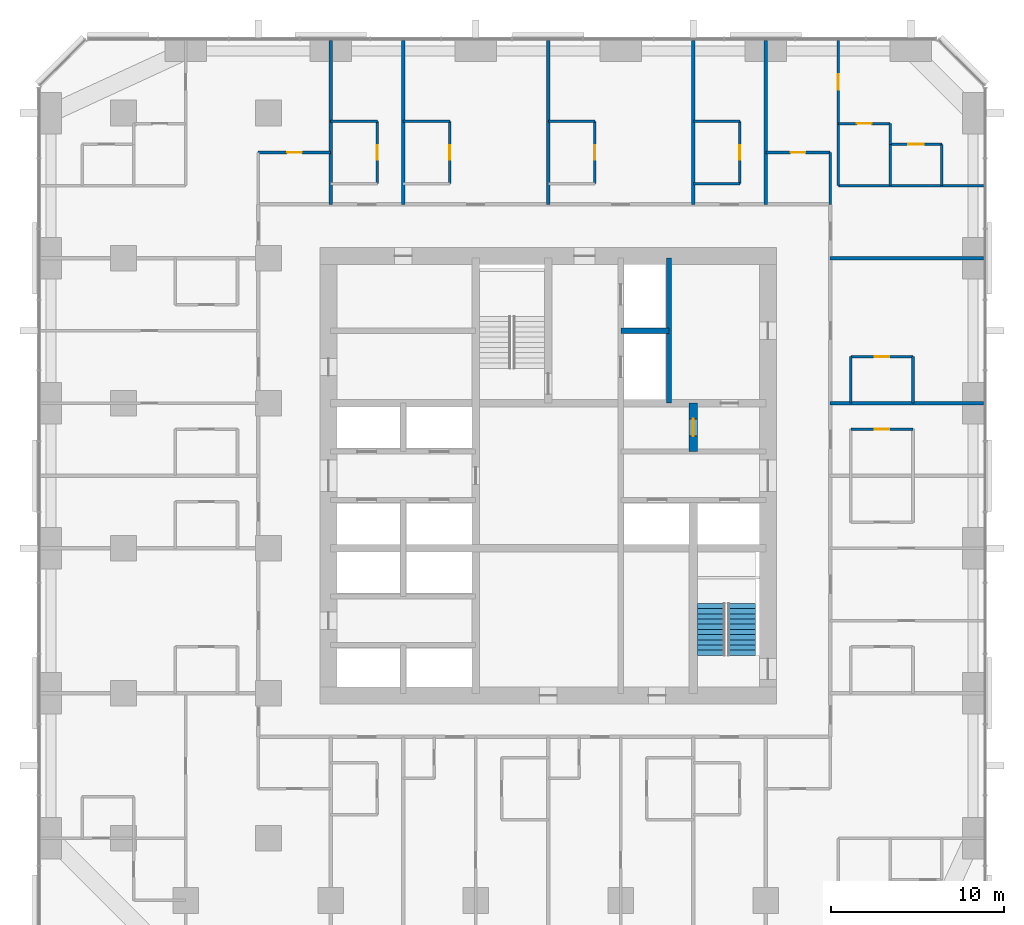
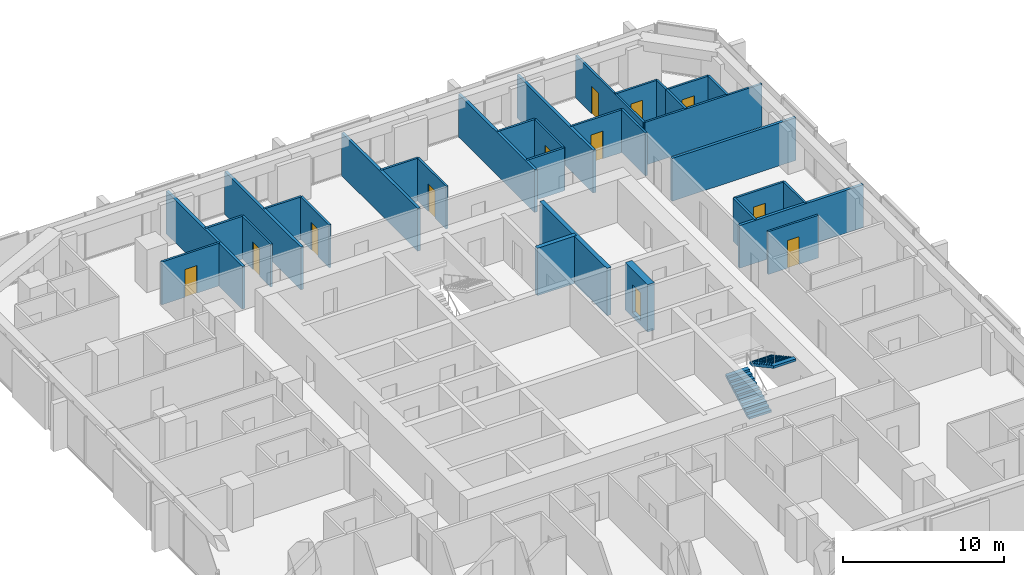
# One storey, part 12 of 14: 33 walls, 12 doors, 2 stair flights, 12 openings, 1 element without a shape of its own.
"""IFC4 building model written with IfcOpenShell, lengths in metres."""

from ifc_helpers import new_model, si_unit, direction, frame, frame_2d, origin, place, context, subcontext, project, spatial, polyline, rectangle, outline, extrude, material, layer, layer_set, type_object, element, fill, aggregate, save


model = new_model("IFC4")

# Units and contexts
model_context = context("Model", 3, precision=1e-05, world=origin(), true_north=direction((0.0, 1.0)))
body_context = subcontext(model_context, "Body", "Model", "MODEL_VIEW")
ifc_project = project(units=[si_unit("LENGTHUNIT", "METRE"), si_unit("AREAUNIT", "SQUARE_METRE"), si_unit("VOLUMEUNIT", "CUBIC_METRE"), si_unit("PLANEANGLEUNIT", "RADIAN"), si_unit("MASSUNIT", "GRAM", prefix="KILO")], contexts=[model_context])

# Site, building, storey
site_placement = place(None, origin())
site = spatial("IfcSite", under=ifc_project, at=site_placement, CompositionType="ELEMENT")
building_placement = place(site_placement, origin())
building = spatial("IfcBuilding", under=site, at=building_placement, Name="Dunama Terrace Hotel", CompositionType="ELEMENT")
storey_placement = place(building_placement, frame((0.0, 0.0, 136.800048828125)))
storey = spatial("IfcBuildingStorey", under=building, at=storey_placement, Name="L35", CompositionType="ELEMENT", Elevation=136.800048828125)

# Wall, opening, door
ifc_material_1 = material(Name="Gypsum board partition", Category="masonry")
ifc_layer_1 = layer(ifc_material_1, 0.14990234375)
ifc_layer_set_1 = layer_set([ifc_layer_1], Name="Bathroom partition 150")
wall_type_1 = type_object("IfcWallType", Name="Bathroom partition 150", PredefinedType="PARTITIONING", material=ifc_layer_set_1)
wall_1_placement = place(storey_placement, frame((19.5, 46.324951171875, 0.0), z_axis=(0.0, 0.0, 1.0), x_axis=(0.0, 1.0, 0.0)))
wall_1 = element("IfcWall", 1, at=wall_1_placement, inside=storey, type_object=wall_type_1, Name="Bathroom partition 150 L35", PredefinedType="PARTITIONING", context=body_context, shape_type="SweptSolid", body=[
    extrude(rectangle(XDim=3.60009765625, YDim=0.14990234375, at=frame_2d((1.800048828125, 0.0))), origin(), (0.0, 0.0, 1.0), 3.25),
])
opening_1_placement = place(wall_1_placement, frame((1.375, 0.0, 0.0)))
opening_1 = element("IfcOpeningElement", 2, at=opening_1_placement, cuts=wall_1, Name="Opening L34-36-033", PredefinedType="OPENING", context=body_context, shape_type="SweptSolid", body=[
    extrude(rectangle(XDim=0.85009765625, YDim=2.10009765625, at=frame_2d((0.425048828125, 1.050048828125))), frame((0.0, 0.0849609375, 0.0), z_axis=(0.0, -1.0, 0.0), x_axis=(1.0, 0.0, 0.0)), (0.0, 0.0, 1.0), 0.169921875),
])
ifc_material_2 = material(Name="Timber door with steel frame", Category="steel")
door_type_1 = type_object("IfcDoorType", Name="Bathroom door 850", OperationType="SINGLE_SWING_LEFT", PredefinedType="DOOR", material=ifc_material_2)
door_1_placement = place(opening_1_placement, origin())
door_1 = element("IfcDoor", 3, at=door_1_placement, inside=storey, type_object=door_type_1, Name="Door to en-suite bathroom L34-36-033, type D2", OperationType="SINGLE_SWING_RIGHT", OverallHeight=2.10009765625, OverallWidth=0.85009765625, PredefinedType="DOOR", context=body_context, shape_type="SweptSolid", body=[
    extrude(rectangle(XDim=0.85009765625, YDim=2.10009765625, at=frame_2d((0.425048828125, 1.050048828125))), frame((0.0, 0.02490234375, 0.0), z_axis=(0.0, -1.0, 0.0), x_axis=(1.0, 0.0, 0.0)), (0.0, 0.0, 1.0), 0.050048828125),
])
fill(opening_1, door_1)

wall_2_placement = place(storey_placement, frame((23.699951171875, 46.324951171875, 0.0), z_axis=(0.0, 0.0, 1.0), x_axis=(0.0, 1.0, 0.0)))
wall_2 = element("IfcWall", 4, at=wall_2_placement, inside=storey, type_object=wall_type_1, Name="Bathroom partition 150 L35", PredefinedType="PARTITIONING", context=body_context, shape_type="SweptSolid", body=[
    extrude(rectangle(XDim=3.60009765625, YDim=0.14990234375, at=frame_2d((1.800048828125, 0.0))), origin(), (0.0, 0.0, 1.0), 3.25),
])
opening_2_placement = place(wall_2_placement, frame((1.375, 0.0, 0.0)))
opening_2 = element("IfcOpeningElement", 5, at=opening_2_placement, cuts=wall_2, Name="Opening L34-36-035", PredefinedType="OPENING", context=body_context, shape_type="SweptSolid", body=[
    extrude(rectangle(XDim=0.85009765625, YDim=2.10009765625, at=frame_2d((0.425048828125, 1.050048828125))), frame((0.0, 0.0849609375, 0.0), z_axis=(0.0, -1.0, 0.0), x_axis=(1.0, 0.0, 0.0)), (0.0, 0.0, 1.0), 0.169921875),
])
door_2_placement = place(opening_2_placement, origin())
door_2 = element("IfcDoor", 6, at=door_2_placement, inside=storey, type_object=door_type_1, Name="Door to en-suite bathroom L34-36-035, type D2", OperationType="SINGLE_SWING_RIGHT", OverallHeight=2.10009765625, OverallWidth=0.85009765625, PredefinedType="DOOR", context=body_context, shape_type="SweptSolid", body=[
    extrude(rectangle(XDim=0.85009765625, YDim=2.10009765625, at=frame_2d((0.425048828125, 1.050048828125))), frame((0.0, 0.02490234375, 0.0), z_axis=(0.0, -1.0, 0.0), x_axis=(1.0, 0.0, 0.0)), (0.0, 0.0, 1.0), 0.050048828125),
])
fill(opening_2, door_2)

wall_3_placement = place(storey_placement, frame((32.10009765625, 46.324951171875, 0.0), z_axis=(0.0, 0.0, 1.0), x_axis=(0.0, 1.0, 0.0)))
wall_3 = element("IfcWall", 7, at=wall_3_placement, inside=storey, type_object=wall_type_1, Name="Bathroom partition 150 L35", PredefinedType="PARTITIONING", context=body_context, shape_type="SweptSolid", body=[
    extrude(rectangle(XDim=3.60009765625, YDim=0.14990234375, at=frame_2d((1.800048828125, 0.0))), origin(), (0.0, 0.0, 1.0), 3.25),
])
opening_3_placement = place(wall_3_placement, frame((1.375, 0.0, 0.0)))
opening_3 = element("IfcOpeningElement", 8, at=opening_3_placement, cuts=wall_3, Name="Opening L34-36-037", PredefinedType="OPENING", context=body_context, shape_type="SweptSolid", body=[
    extrude(rectangle(XDim=0.85009765625, YDim=2.10009765625, at=frame_2d((0.425048828125, 1.050048828125))), frame((0.0, 0.0849609375, 0.0), z_axis=(0.0, -1.0, 0.0), x_axis=(1.0, 0.0, 0.0)), (0.0, 0.0, 1.0), 0.169921875),
])
door_3_placement = place(opening_3_placement, origin())
door_3 = element("IfcDoor", 9, at=door_3_placement, inside=storey, type_object=door_type_1, Name="Door to en-suite bathroom L34-36-037, type D2", OperationType="SINGLE_SWING_RIGHT", OverallHeight=2.10009765625, OverallWidth=0.85009765625, PredefinedType="DOOR", context=body_context, shape_type="SweptSolid", body=[
    extrude(rectangle(XDim=0.85009765625, YDim=2.10009765625, at=frame_2d((0.425048828125, 1.050048828125))), frame((0.0, 0.02490234375, 0.0), z_axis=(0.0, -1.0, 0.0), x_axis=(1.0, 0.0, 0.0)), (0.0, 0.0, 1.0), 0.050048828125),
])
fill(opening_3, door_3)

wall_4_placement = place(storey_placement, frame((40.5, 46.324951171875, 0.0), z_axis=(0.0, 0.0, 1.0), x_axis=(0.0, 1.0, 0.0)))
wall_4 = element("IfcWall", 10, at=wall_4_placement, inside=storey, type_object=wall_type_1, Name="Bathroom partition 150 L35", PredefinedType="PARTITIONING", context=body_context, shape_type="SweptSolid", body=[
    extrude(rectangle(XDim=3.60009765625, YDim=0.14990234375, at=frame_2d((1.800048828125, 0.0))), origin(), (0.0, 0.0, 1.0), 3.25),
])
opening_4_placement = place(wall_4_placement, frame((1.375, 0.0, 0.0)))
opening_4 = element("IfcOpeningElement", 11, at=opening_4_placement, cuts=wall_4, Name="Opening L34-36-039", PredefinedType="OPENING", context=body_context, shape_type="SweptSolid", body=[
    extrude(rectangle(XDim=0.85009765625, YDim=2.10009765625, at=frame_2d((0.425048828125, 1.050048828125))), frame((0.0, 0.0849609375, 0.0), z_axis=(0.0, -1.0, 0.0), x_axis=(1.0, 0.0, 0.0)), (0.0, 0.0, 1.0), 0.169921875),
])
door_4_placement = place(opening_4_placement, origin())
door_4 = element("IfcDoor", 12, at=door_4_placement, inside=storey, type_object=door_type_1, Name="Door to en-suite bathroom L34-36-039, type D2", OperationType="SINGLE_SWING_RIGHT", OverallHeight=2.10009765625, OverallWidth=0.85009765625, PredefinedType="DOOR", context=body_context, shape_type="SweptSolid", body=[
    extrude(rectangle(XDim=0.85009765625, YDim=2.10009765625, at=frame_2d((0.425048828125, 1.050048828125))), frame((0.0, 0.02490234375, 0.0), z_axis=(0.0, -1.0, 0.0), x_axis=(1.0, 0.0, 0.0)), (0.0, 0.0, 1.0), 0.050048828125),
])
fill(opening_4, door_4)

# Walls
wall_5_placement = place(storey_placement, frame((45.72509765625, 45.125, 0.0), z_axis=(0.0, 0.0, 1.0), x_axis=(0.0, 1.0, 0.0)))
element("IfcWall", 13, at=wall_5_placement, inside=storey, type_object=wall_type_1, Name="Bathroom partition 150 L35", PredefinedType="PARTITIONING", context=body_context, shape_type="SweptSolid", body=[
    extrude(rectangle(XDim=3.0, YDim=0.14990234375, at=frame_2d((1.5, 0.0))), origin(), (0.0, 0.0, 1.0), 3.25),
])
wall_6_placement = place(storey_placement, frame((46.925048828125, 33.60009765625, 0.0), z_axis=(0.0, 0.0, 1.0), x_axis=(0.0, 1.0, 0.0)))
element("IfcWall", 14, at=wall_6_placement, inside=storey, type_object=wall_type_1, Name="Bathroom partition 150 L35", PredefinedType="PARTITIONING", context=body_context, shape_type="SweptSolid", body=[
    extrude(rectangle(XDim=2.699951171875, YDim=0.14990234375, at=frame_2d((1.35009765625, 0.0))), origin(), (0.0, 0.0, 1.0), 3.25),
])
wall_7_placement = place(storey_placement, frame((49.199951171875, 48.60009765625, 0.0), z_axis=(0.0, 0.0, 1.0), x_axis=(0.0, 1.0, 0.0)))
element("IfcWall", 15, at=wall_7_placement, inside=storey, type_object=wall_type_1, Name="Bathroom partition 150 L35", PredefinedType="PARTITIONING", context=body_context, shape_type="SweptSolid", body=[
    extrude(rectangle(XDim=1.199951171875, YDim=0.14990234375, at=frame_2d((0.60009765625, 0.0))), origin(), (0.0, 0.0, 1.0), 3.25),
])
wall_8_placement = place(storey_placement, frame((50.52490234375, 33.60009765625, 0.0), z_axis=(0.0, 0.0, 1.0), x_axis=(0.0, 1.0, 0.0)))
element("IfcWall", 16, at=wall_8_placement, inside=storey, type_object=wall_type_1, Name="Bathroom partition 150 L35", PredefinedType="PARTITIONING", context=body_context, shape_type="SweptSolid", body=[
    extrude(rectangle(XDim=2.699951171875, YDim=0.14990234375, at=frame_2d((1.35009765625, 0.0))), origin(), (0.0, 0.0, 1.0), 3.25),
])

# Wall, opening, door
wall_9_placement = place(storey_placement, frame((46.925048828125, 32.10009765625, 0.0), z_axis=(0.0, 0.0, 1.0), x_axis=(1.0, 0.0, 0.0)))
wall_9 = element("IfcWall", 17, at=wall_9_placement, inside=storey, type_object=wall_type_1, Name="Bathroom partition 150 L35", PredefinedType="PARTITIONING", context=body_context, shape_type="SweptSolid", body=[
    extrude(rectangle(XDim=3.599853515625, YDim=0.14990234375, at=frame_2d((1.7998046875, 0.0))), origin(), (0.0, 0.0, 1.0), 3.25),
])
opening_5_placement = place(wall_9_placement, frame((1.375, 0.0, 0.0)))
opening_5 = element("IfcOpeningElement", 18, at=opening_5_placement, cuts=wall_9, Name="Opening L34-36-029", PredefinedType="OPENING", context=body_context, shape_type="SweptSolid", body=[
    extrude(rectangle(XDim=0.85009765625, YDim=2.10009765625, at=frame_2d((0.425048828125, 1.050048828125))), frame((0.0, 0.0849609375, 0.0), z_axis=(0.0, -1.0, 0.0), x_axis=(1.0, 0.0, 0.0)), (0.0, 0.0, 1.0), 0.169921875),
])
door_5_placement = place(opening_5_placement, frame((0.85009765625, 0.0, 0.0), z_axis=(0.0, 0.0, 1.0), x_axis=(-1.0, 0.0, 0.0)))
door_5 = element("IfcDoor", 19, at=door_5_placement, inside=storey, type_object=door_type_1, Name="Door to en-suite bathroom L34-36-029, type D2", OperationType="SINGLE_SWING_RIGHT", OverallHeight=2.10009765625, OverallWidth=0.85009765625, PredefinedType="DOOR", context=body_context, shape_type="SweptSolid", body=[
    extrude(rectangle(XDim=0.85009765625, YDim=2.10009765625, at=frame_2d((0.425048828125, 1.050048828125))), frame((0.0, 0.025146484375, 0.0), z_axis=(0.0, -1.0, 0.0), x_axis=(1.0, 0.0, 0.0)), (0.0, 0.0, 1.0), 0.050048828125),
])
fill(opening_5, door_5)

wall_10_placement = place(storey_placement, frame((46.925048828125, 36.300048828125, 0.0), z_axis=(0.0, 0.0, 1.0), x_axis=(1.0, 0.0, 0.0)))
wall_10 = element("IfcWall", 20, at=wall_10_placement, inside=storey, type_object=wall_type_1, Name="Bathroom partition 150 L35", PredefinedType="PARTITIONING", context=body_context, shape_type="SweptSolid", body=[
    extrude(rectangle(XDim=3.599853515625, YDim=0.14990234375, at=frame_2d((1.7998046875, 0.0))), origin(), (0.0, 0.0, 1.0), 3.25),
])
opening_6_placement = place(wall_10_placement, frame((1.375, 0.0, 0.0)))
opening_6 = element("IfcOpeningElement", 21, at=opening_6_placement, cuts=wall_10, Name="Opening L34-36-031", PredefinedType="OPENING", context=body_context, shape_type="SweptSolid", body=[
    extrude(rectangle(XDim=0.85009765625, YDim=2.10009765625, at=frame_2d((0.425048828125, 1.050048828125))), frame((0.0, 0.0849609375, 0.0), z_axis=(0.0, -1.0, 0.0), x_axis=(1.0, 0.0, 0.0)), (0.0, 0.0, 1.0), 0.169921875),
])
door_6_placement = place(opening_6_placement, frame((0.85009765625, 0.0, 0.0), z_axis=(0.0, 0.0, 1.0), x_axis=(-1.0, 0.0, 0.0)))
door_6 = element("IfcDoor", 22, at=door_6_placement, inside=storey, type_object=door_type_1, Name="Door to en-suite bathroom L34-36-031, type D2", OperationType="SINGLE_SWING_RIGHT", OverallHeight=2.10009765625, OverallWidth=0.85009765625, PredefinedType="DOOR", context=body_context, shape_type="SweptSolid", body=[
    extrude(rectangle(XDim=0.85009765625, YDim=2.10009765625, at=frame_2d((0.425048828125, 1.050048828125))), frame((0.0, 0.025146484375, 0.0), z_axis=(0.0, -1.0, 0.0), x_axis=(1.0, 0.0, 0.0)), (0.0, 0.0, 1.0), 0.050048828125),
])
fill(opening_6, door_6)

# Wall
wall_11_placement = place(storey_placement, frame((37.800048828125, 46.324951171875, 0.0), z_axis=(0.0, 0.0, 1.0), x_axis=(1.0, 0.0, 0.0)))
element("IfcWall", 23, at=wall_11_placement, inside=storey, type_object=wall_type_1, Name="Bathroom partition 150 L35", PredefinedType="PARTITIONING", context=body_context, shape_type="SweptSolid", body=[
    extrude(rectangle(XDim=2.699951171875, YDim=0.14990234375, at=frame_2d((1.35009765625, 0.0))), origin(), (0.0, 0.0, 1.0), 3.25),
])

# Wall, opening, door
wall_12_placement = place(storey_placement, frame((12.60009765625, 48.125, 0.0), z_axis=(0.0, 0.0, 1.0), x_axis=(1.0, 0.0, 0.0)))
wall_12 = element("IfcWall", 24, at=wall_12_placement, inside=storey, type_object=wall_type_1, Name="Bathroom partition 150 L35", PredefinedType="PARTITIONING", context=body_context, shape_type="SweptSolid", body=[
    extrude(rectangle(XDim=4.199951171875, YDim=0.14990234375, at=frame_2d((2.10009765625, 0.0))), origin(), (0.0, 0.0, 1.0), 3.25),
])
opening_7_placement = place(wall_12_placement, frame((1.675048828125, 0.0, 0.0)))
opening_7 = element("IfcOpeningElement", 25, at=opening_7_placement, cuts=wall_12, Name="Opening L34-36-066", PredefinedType="OPENING", context=body_context, shape_type="SweptSolid", body=[
    extrude(rectangle(XDim=0.85009765625, YDim=2.10009765625, at=frame_2d((0.425048828125, 1.050048828125))), frame((0.0, 0.0849609375, 0.0), z_axis=(0.0, -1.0, 0.0), x_axis=(1.0, 0.0, 0.0)), (0.0, 0.0, 1.0), 0.169921875),
])
door_7_placement = place(opening_7_placement, frame((0.85009765625, 0.0, 0.0), z_axis=(0.0, 0.0, 1.0), x_axis=(-1.0, 0.0, 0.0)))
door_7 = element("IfcDoor", 26, at=door_7_placement, inside=storey, type_object=door_type_1, Name="Door to powder room L34-36-066, type D2", OperationType="SINGLE_SWING_RIGHT", OverallHeight=2.10009765625, OverallWidth=0.85009765625, PredefinedType="DOOR", context=body_context, shape_type="SweptSolid", body=[
    extrude(rectangle(XDim=0.85009765625, YDim=2.10009765625, at=frame_2d((0.425048828125, 1.050048828125))), frame((0.0, 0.025146484375, 0.0), z_axis=(0.0, -1.0, 0.0), x_axis=(1.0, 0.0, 0.0)), (0.0, 0.0, 1.0), 0.050048828125),
])
fill(opening_7, door_7)

wall_13_placement = place(storey_placement, frame((42.0, 48.125, 0.0), z_axis=(0.0, 0.0, 1.0), x_axis=(1.0, 0.0, 0.0)))
wall_13 = element("IfcWall", 27, at=wall_13_placement, inside=storey, type_object=wall_type_1, Name="Bathroom partition 150 L35", PredefinedType="PARTITIONING", context=body_context, shape_type="SweptSolid", body=[
    extrude(rectangle(XDim=3.72509765625, YDim=0.14990234375, at=frame_2d((1.862548828125, 0.0))), origin(), (0.0, 0.0, 1.0), 3.25),
])
opening_8_placement = place(wall_13_placement, frame((1.43798828125, 0.0, 0.0)))
opening_8 = element("IfcOpeningElement", 28, at=opening_8_placement, cuts=wall_13, Name="Opening L34-36-061", PredefinedType="OPENING", context=body_context, shape_type="SweptSolid", body=[
    extrude(rectangle(XDim=0.85009765625, YDim=2.10009765625, at=frame_2d((0.425048828125, 1.050048828125))), frame((0.0, 0.0849609375, 0.0), z_axis=(0.0, -1.0, 0.0), x_axis=(1.0, 0.0, 0.0)), (0.0, 0.0, 1.0), 0.169921875),
])
door_8_placement = place(opening_8_placement, frame((0.85009765625, 0.0, 0.0), z_axis=(0.0, 0.0, 1.0), x_axis=(-1.0, 0.0, 0.0)))
door_8 = element("IfcDoor", 29, at=door_8_placement, inside=storey, type_object=door_type_1, Name="Door to powder room L34-36-061, type D2", OperationType="SINGLE_SWING_RIGHT", OverallHeight=2.10009765625, OverallWidth=0.85009765625, PredefinedType="DOOR", context=body_context, shape_type="SweptSolid", body=[
    extrude(rectangle(XDim=0.85009765625, YDim=2.10009765625, at=frame_2d((0.425048828125, 1.050048828125))), frame((0.0, 0.025146484375, 0.0), z_axis=(0.0, -1.0, 0.0), x_axis=(1.0, 0.0, 0.0)), (0.0, 0.0, 1.0), 0.050048828125),
])
fill(opening_8, door_8)

wall_14_placement = place(storey_placement, frame((46.199951171875, 49.800048828125, 0.0), z_axis=(0.0, 0.0, 1.0), x_axis=(1.0, 0.0, 0.0)))
wall_14 = element("IfcWall", 30, at=wall_14_placement, inside=storey, type_object=wall_type_1, Name="Bathroom partition 150 L35", PredefinedType="PARTITIONING", context=body_context, shape_type="SweptSolid", body=[
    extrude(rectangle(XDim=3.0, YDim=0.14990234375, at=frame_2d((1.5, 0.0))), origin(), (0.0, 0.0, 1.0), 3.25),
])
opening_9_placement = place(wall_14_placement, frame((1.074951171875, 0.0, 0.0)))
opening_9 = element("IfcOpeningElement", 31, at=opening_9_placement, cuts=wall_14, Name="Opening L34-36-063", PredefinedType="OPENING", context=body_context, shape_type="SweptSolid", body=[
    extrude(rectangle(XDim=0.85009765625, YDim=2.10009765625, at=frame_2d((0.425048828125, 1.050048828125))), frame((0.0, 0.0849609375, 0.0), z_axis=(0.0, -1.0, 0.0), x_axis=(1.0, 0.0, 0.0)), (0.0, 0.0, 1.0), 0.169921875),
])
door_9_placement = place(opening_9_placement, frame((0.85009765625, 0.0, 0.0), z_axis=(0.0, 0.0, 1.0), x_axis=(-1.0, 0.0, 0.0)))
door_9 = element("IfcDoor", 32, at=door_9_placement, inside=storey, type_object=door_type_1, Name="Door to en-suite bathroom L34-36-063, type D2", OperationType="SINGLE_SWING_LEFT", OverallHeight=2.10009765625, OverallWidth=0.85009765625, PredefinedType="DOOR", context=body_context, shape_type="SweptSolid", body=[
    extrude(rectangle(XDim=0.85009765625, YDim=2.10009765625, at=frame_2d((0.425048828125, 1.050048828125))), frame((0.0, 0.025146484375, 0.0), z_axis=(0.0, -1.0, 0.0), x_axis=(1.0, 0.0, 0.0)), (0.0, 0.0, 1.0), 0.050048828125),
])
fill(opening_9, door_9)

# Walls
for number, where, z_axis, x_axis, name in (
    (33, (16.800048828125, 49.925048828125, 0.0), (0.0, 0.0, 1.0), (1.0, 0.0, 0.0), "Bathroom partition 150 L35"),
    (34, (21.0, 49.925048828125, 0.0), (0.0, 0.0, 1.0), (1.0, 0.0, 0.0), "Bathroom partition 150 L35"),
):
    element("IfcWall", number, at=place(storey_placement, frame(where, z_axis=z_axis, x_axis=x_axis)), inside=storey, type_object=wall_type_1, Name=name, PredefinedType="PARTITIONING", context=body_context, shape_type="SweptSolid", body=[
        extrude(rectangle(XDim=2.699951171875, YDim=0.14990234375, at=frame_2d((1.35009765625, 0.0))), origin(), (0.0, 0.0, 1.0), 3.25),
    ])
wall_15_placement = place(storey_placement, frame((29.39990234375, 49.925048828125, 0.0), z_axis=(0.0, 0.0, 1.0), x_axis=(1.0, 0.0, 0.0)))
element("IfcWall", 35, at=wall_15_placement, inside=storey, type_object=wall_type_1, Name="Bathroom partition 150 L35", PredefinedType="PARTITIONING", context=body_context, shape_type="SweptSolid", body=[
    extrude(rectangle(XDim=2.7001953125, YDim=0.14990234375, at=frame_2d((1.35009765625, 0.0))), origin(), (0.0, 0.0, 1.0), 3.25),
])
wall_16_placement = place(storey_placement, frame((37.800048828125, 49.925048828125, 0.0), z_axis=(0.0, 0.0, 1.0), x_axis=(1.0, 0.0, 0.0)))
element("IfcWall", 36, at=wall_16_placement, inside=storey, type_object=wall_type_1, Name="Bathroom partition 150 L35", PredefinedType="PARTITIONING", context=body_context, shape_type="SweptSolid", body=[
    extrude(rectangle(XDim=2.699951171875, YDim=0.14990234375, at=frame_2d((1.35009765625, 0.0))), origin(), (0.0, 0.0, 1.0), 3.25),
])
ifc_material_3 = material(Name="Concrete C50/60", Category="concrete")
ifc_layer_2 = layer(ifc_material_3, 0.300048828125)
ifc_layer_set_2 = layer_set([ifc_layer_2], Name="Core inner wall 300")
wall_type_2 = type_object("IfcWallType", Name="Core inner wall 300", PredefinedType="SHEAR", material=ifc_layer_set_2)
wall_17_placement = place(storey_placement, frame((36.39990234375, 33.60009765625, -0.35009765625), z_axis=(0.0, 0.0, 1.0), x_axis=(0.0, 1.0, 0.0)))
element("IfcWall", 37, at=wall_17_placement, inside=storey, type_object=wall_type_2, Name="Core inner wall 300 L35", PredefinedType="SHEAR", context=body_context, shape_type="SweptSolid", body=[
    extrude(rectangle(XDim=8.39990234375, YDim=0.300048828125, at=frame_2d((4.199951171875, 0.0))), origin(), (0.0, 0.0, 1.0), 3.60009765625),
])
wall_18_placement = place(storey_placement, frame((33.60009765625, 37.800048828125, -0.35009765625), z_axis=(0.0, 0.0, 1.0), x_axis=(1.0, 0.0, 0.0)))
element("IfcWall", 38, at=wall_18_placement, inside=storey, type_object=wall_type_2, Name="Core inner wall 300 L35", PredefinedType="SHEAR", context=body_context, shape_type="SweptSolid", body=[
    extrude(rectangle(XDim=2.7998046875, YDim=0.300048828125, at=frame_2d((1.39990234375, 0.0))), origin(), (0.0, 0.0, 1.0), 3.60009765625),
])

# Wall, opening, door
ifc_material_4 = material(Name="Concrete C50/60", Category="concrete")
ifc_layer_3 = layer(ifc_material_4, 0.5)
ifc_layer_set_3 = layer_set([ifc_layer_3], Name="Core inner wall 500")
wall_type_3 = type_object("IfcWallType", Name="Core inner wall 500", PredefinedType="SHEAR", material=ifc_layer_set_3)
wall_19_placement = place(storey_placement, frame((37.800048828125, 30.800048828125, -0.35009765625), z_axis=(0.0, 0.0, 1.0), x_axis=(0.0, 1.0, 0.0)))
wall_19 = element("IfcWall", 39, at=wall_19_placement, inside=storey, type_object=wall_type_3, Name="Core inner wall 500 L35", PredefinedType="SHEAR", context=body_context, shape_type="SweptSolid", body=[
    extrude(rectangle(XDim=2.800048828125, YDim=0.5, at=frame_2d((1.39990234375, 0.0))), origin(), (0.0, 0.0, 1.0), 3.60009765625),
])
opening_10_placement = place(wall_19_placement, frame((0.89990234375, 0.0, 0.35009765625)))
opening_10 = element("IfcOpeningElement", 40, at=opening_10_placement, cuts=wall_19, Name="Opening L34-36-075", PredefinedType="OPENING", context=body_context, shape_type="SweptSolid", body=[
    extrude(rectangle(XDim=1.0, YDim=2.10009765625, at=frame_2d((0.5, 1.050048828125))), frame((0.0, 0.260009765625, 0.0), z_axis=(0.0, -1.0, 0.0), x_axis=(1.0, 0.0, 0.0)), (0.0, 0.0, 1.0), 0.52001953125),
])
ifc_material_5 = material(Name="Timber door with steel frame", Category="steel")
door_type_2 = type_object("IfcDoorType", Name="Service door 1000", OperationType="SINGLE_SWING_LEFT", PredefinedType="DOOR", material=ifc_material_5)
door_10_placement = place(opening_10_placement, frame((1.0, 0.0, 0.0), z_axis=(0.0, 0.0, 1.0), x_axis=(-1.0, 0.0, 0.0)))
door_10 = element("IfcDoor", 41, at=door_10_placement, inside=storey, type_object=door_type_2, Name="Door to service riser L34-36-075, type D7", OperationType="SINGLE_SWING_LEFT", OverallHeight=2.10009765625, OverallWidth=1.0, PredefinedType="DOOR", context=body_context, shape_type="SweptSolid", body=[
    extrude(rectangle(XDim=1.0, YDim=2.10009765625, at=frame_2d((0.5, 1.050048828125))), frame((0.0, 0.025146484375, 0.0), z_axis=(0.0, -1.0, 0.0), x_axis=(1.0, 0.0, 0.0)), (0.0, 0.0, 1.0), 0.050048828125),
])
fill(opening_10, door_10)

# Walls
ifc_material_6 = material(Name="Concrete blockwork", Category="masonry")
ifc_layer_4 = layer(ifc_material_6, 0.199951171875)
ifc_layer_set_4 = layer_set([ifc_layer_4], Name="Party wall 200")
wall_type_4 = type_object("IfcWallType", Name="Party wall 200", PredefinedType="PARTITIONING", material=ifc_layer_set_4)
for number, where, z_axis, x_axis, name in (
    (42, (16.800048828125, 45.125, 0.0), (0.0, 0.0, 1.0), (0.0, 1.0, 0.0), "Party wall 200 L35"),
    (43, (21.0, 45.125, 0.0), (0.0, 0.0, 1.0), (0.0, 1.0, 0.0), "Party wall 200 L35"),
    (44, (29.39990234375, 45.125, 0.0), (0.0, 0.0, 1.0), (0.0, 1.0, 0.0), "Party wall 200 L35"),
    (45, (37.800048828125, 45.125, 0.0), (0.0, 0.0, 1.0), (0.0, 1.0, 0.0), "Party wall 200 L35"),
    (46, (42.0, 45.125, 0.0), (0.0, 0.0, 1.0), (0.0, 1.0, 0.0), "Party wall 200 L35"),
):
    element("IfcWall", number, at=place(storey_placement, frame(where, z_axis=z_axis, x_axis=x_axis)), inside=storey, type_object=wall_type_4, Name=name, PredefinedType="PARTITIONING", context=body_context, shape_type="SweptSolid", body=[
        extrude(rectangle(XDim=9.492919921875, YDim=0.199951171875, at=frame_2d((4.74658203125, 0.0))), origin(), (0.0, 0.0, 1.0), 3.25),
    ])
for number, where, z_axis, x_axis, name in (
    (47, (45.72509765625, 33.60009765625, 0.0), (0.0, 0.0, 1.0), (1.0, 0.0, 0.0), "Party wall 200 L35"),
    (48, (45.72509765625, 42.0, 0.0), (0.0, 0.0, 1.0), (1.0, 0.0, 0.0), "Party wall 200 L35"),
):
    element("IfcWall", number, at=place(storey_placement, frame(where, z_axis=z_axis, x_axis=x_axis)), inside=storey, type_object=wall_type_4, Name=name, PredefinedType="PARTITIONING", context=body_context, shape_type="SweptSolid", body=[
        extrude(rectangle(XDim=8.892822265625, YDim=0.199951171875, at=frame_2d((4.4462890625, 0.0))), origin(), (0.0, 0.0, 1.0), 3.25),
    ])

# Wall, opening, door
ifc_material_7 = material(Name="Gypsum board partition", Category="masonry")
ifc_layer_5 = layer(ifc_material_7, 0.14990234375)
ifc_layer_set_5 = layer_set([ifc_layer_5], Name="Room partition 150")
wall_type_5 = type_object("IfcWallType", Name="Room partition 150", PredefinedType="PARTITIONING", material=ifc_layer_set_5)
wall_20_placement = place(storey_placement, frame((46.199951171875, 46.199951171875, 0.0), z_axis=(0.0, 0.0, 1.0), x_axis=(0.0, 1.0, 0.0)))
wall_20 = element("IfcWall", 49, at=wall_20_placement, inside=storey, type_object=wall_type_5, Name="Room partition 150 L35", PredefinedType="PARTITIONING", context=body_context, shape_type="SweptSolid", body=[
    extrude(rectangle(XDim=8.41796875, YDim=0.14990234375, at=frame_2d((4.208984375, 0.0))), origin(), (0.0, 0.0, 1.0), 3.25),
])
opening_11_placement = place(wall_20_placement, frame((5.550048828125, 0.0, 0.0)))
opening_11 = element("IfcOpeningElement", 50, at=opening_11_placement, cuts=wall_20, Name="Opening L34-36-062", PredefinedType="OPENING", context=body_context, shape_type="SweptSolid", body=[
    extrude(rectangle(XDim=0.89990234375, YDim=2.10009765625, at=frame_2d((0.449951171875, 1.050048828125))), frame((0.0, 0.0849609375, 0.0), z_axis=(0.0, -1.0, 0.0), x_axis=(1.0, 0.0, 0.0)), (0.0, 0.0, 1.0), 0.169921875),
])
ifc_material_8 = material(Name="Timber door with steel frame", Category="steel")
door_type_3 = type_object("IfcDoorType", Name="Suite internal door 900", OperationType="SINGLE_SWING_LEFT", PredefinedType="DOOR", material=ifc_material_8)
door_11_placement = place(opening_11_placement, frame((0.89990234375, 0.0, 0.0), z_axis=(0.0, 0.0, 1.0), x_axis=(-1.0, 0.0, 0.0)))
door_11 = element("IfcDoor", 51, at=door_11_placement, inside=storey, type_object=door_type_3, Name="Door to corner suite bedroom L34-36-062, type D16", OperationType="SINGLE_SWING_RIGHT", OverallHeight=2.10009765625, OverallWidth=0.89990234375, PredefinedType="DOOR", context=body_context, shape_type="SweptSolid", body=[
    extrude(rectangle(XDim=0.89990234375, YDim=2.10009765625, at=frame_2d((0.449951171875, 1.050048828125))), frame((0.0, 0.025146484375, 0.0), z_axis=(0.0, -1.0, 0.0), x_axis=(1.0, 0.0, 0.0)), (0.0, 0.0, 1.0), 0.050048828125),
])
fill(opening_11, door_11)

# Walls
for number, where, z_axis, x_axis, name in (
    (52, (49.199951171875, 46.199951171875, 0.0), (0.0, 0.0, 1.0), (0.0, 1.0, 0.0), "Room partition 150 L35"),
    (53, (52.199951171875, 46.199951171875, 0.0), (0.0, 0.0, 1.0), (0.0, 1.0, 0.0), "Room partition 150 L35"),
):
    element("IfcWall", number, at=place(storey_placement, frame(where, z_axis=z_axis, x_axis=x_axis)), inside=storey, type_object=wall_type_5, Name=name, PredefinedType="PARTITIONING", context=body_context, shape_type="SweptSolid", body=[
        extrude(rectangle(XDim=2.400146484375, YDim=0.14990234375, at=frame_2d((1.2001953125, 0.0))), origin(), (0.0, 0.0, 1.0), 3.25),
    ])
wall_21_placement = place(storey_placement, frame((46.199951171875, 46.199951171875, 0.0), z_axis=(0.0, 0.0, 1.0), x_axis=(1.0, 0.0, 0.0)))
element("IfcWall", 54, at=wall_21_placement, inside=storey, type_object=wall_type_5, Name="Room partition 150 L35", PredefinedType="PARTITIONING", context=body_context, shape_type="SweptSolid", body=[
    extrude(rectangle(XDim=8.41796875, YDim=0.14990234375, at=frame_2d((4.208984375, 0.0))), origin(), (0.0, 0.0, 1.0), 3.25),
])

# Wall, opening, door
wall_22_placement = place(storey_placement, frame((49.199951171875, 48.60009765625, 0.0), z_axis=(0.0, 0.0, 1.0), x_axis=(1.0, 0.0, 0.0)))
wall_22 = element("IfcWall", 55, at=wall_22_placement, inside=storey, type_object=wall_type_5, Name="Room partition 150 L35", PredefinedType="PARTITIONING", context=body_context, shape_type="SweptSolid", body=[
    extrude(rectangle(XDim=3.0, YDim=0.14990234375, at=frame_2d((1.5, 0.0))), origin(), (0.0, 0.0, 1.0), 3.25),
])
opening_12_placement = place(wall_22_placement, frame((1.050048828125, 0.0, 0.0)))
opening_12 = element("IfcOpeningElement", 56, at=opening_12_placement, cuts=wall_22, Name="Opening L34-36-064", PredefinedType="OPENING", context=body_context, shape_type="SweptSolid", body=[
    extrude(rectangle(XDim=0.89990234375, YDim=2.10009765625, at=frame_2d((0.449951171875, 1.050048828125))), frame((0.0, 0.0849609375, 0.0), z_axis=(0.0, -1.0, 0.0), x_axis=(1.0, 0.0, 0.0)), (0.0, 0.0, 1.0), 0.169921875),
])
door_12_placement = place(opening_12_placement, frame((0.89990234375, 0.0, 0.0), z_axis=(0.0, 0.0, 1.0), x_axis=(-1.0, 0.0, 0.0)))
door_12 = element("IfcDoor", 57, at=door_12_placement, inside=storey, type_object=door_type_3, Name="Door to dressing room L34-36-064, type D16", OperationType="SINGLE_SWING_RIGHT", OverallHeight=2.10009765625, OverallWidth=0.89990234375, PredefinedType="DOOR", context=body_context, shape_type="SweptSolid", body=[
    extrude(rectangle(XDim=0.89990234375, YDim=2.10009765625, at=frame_2d((0.449951171875, 1.050048828125))), frame((0.0, 0.025146484375, 0.0), z_axis=(0.0, -1.0, 0.0), x_axis=(1.0, 0.0, 0.0)), (0.0, 0.0, 1.0), 0.050048828125),
])
fill(opening_12, door_12)

# Stair, stair flights
ifc_material_9 = material(Name="Concrete C40/50", Category="concrete")
stair_type = type_object("IfcStairType", Name="Stair ST2-3600-1600", PredefinedType="HALF_TURN_STAIR", material=ifc_material_9)
stair_placement = place(storey_placement, origin())
stair = element("IfcStair", 58, at=stair_placement, inside=storey, type_object=stair_type, Name="Stair ST2 L35", PredefinedType="HALF_TURN_STAIR")
ifc_material_10 = material(Name="Concrete C40/50", Category="concrete")
stair_flight_type = type_object("IfcStairFlightType", Name="Stair flight ST2-3600-1600", PredefinedType="STRAIGHT", material=ifc_material_10)
stair_flight_1_placement = place(storey_placement, frame((38.85009765625, 19.0, 0.0), z_axis=(0.0, 0.0, 1.0), x_axis=(0.0, 1.0, 0.0)))
stair_flight_1 = element("IfcStairFlight", 59, at=stair_flight_1_placement, type_object=stair_flight_type, Name="ST2 flight 1", NumberOfRisers=11, NumberOfTreads=10, PredefinedType="STRAIGHT", RiserHeight=0.163636364, TreadLength=0.3, context=body_context, shape_type="SweptSolid", body=[
    extrude(outline(polyline([(0.0, 0.0), (0.0, 0.16357421875), (0.300048828125, 0.16357421875), (0.300048828125, 0.327392578125), (0.60009765625, 0.327392578125), (0.60009765625, 0.490966796875), (0.89990234375, 0.490966796875), (0.89990234375, 0.654541015625), (1.199951171875, 0.654541015625), (1.199951171875, 0.818115234375), (1.5, 0.818115234375), (1.5, 0.98193359375), (1.800048828125, 0.98193359375), (1.800048828125, 1.1455078125), (2.10009765625, 1.1455078125), (2.10009765625, 1.30908203125), (2.39990234375, 1.30908203125), (2.39990234375, 1.47265625), (2.699951171875, 1.47265625), (2.699951171875, 1.636474609375), (3.0, 1.636474609375), (3.0, 1.800048828125), (3.0, 1.465576171875), (0.31298828125, 0.0), (0.0, 0.0)])), frame((0.0, 0.800048828125, 0.0), z_axis=(0.0, -1.0, 0.0), x_axis=(1.0, 0.0, 0.0)), (0.0, 0.0, 1.0), 1.60009765625),
])
stair_flight_2_placement = place(storey_placement, frame((40.60009765625, 22.0, 1.800048828125), z_axis=(0.0, 0.0, 1.0), x_axis=(0.0, -1.0, 0.0)))
stair_flight_2 = element("IfcStairFlight", 60, at=stair_flight_2_placement, type_object=stair_flight_type, Name="ST2 flight 2", NumberOfRisers=11, NumberOfTreads=10, PredefinedType="STRAIGHT", RiserHeight=0.163636364, TreadLength=0.3, context=body_context, shape_type="SweptSolid", body=[
    extrude(outline(polyline([(0.0, 0.0), (0.0, 0.16357421875), (0.300048828125, 0.16357421875), (0.300048828125, 0.327392578125), (0.60009765625, 0.327392578125), (0.60009765625, 0.490966796875), (0.89990234375, 0.490966796875), (0.89990234375, 0.654541015625), (1.199951171875, 0.654541015625), (1.199951171875, 0.818115234375), (1.5, 0.818115234375), (1.5, 0.98193359375), (1.800048828125, 0.98193359375), (1.800048828125, 1.1455078125), (2.10009765625, 1.1455078125), (2.10009765625, 1.30908203125), (2.39990234375, 1.30908203125), (2.39990234375, 1.47265625), (2.699951171875, 1.47265625), (2.699951171875, 1.636474609375), (3.0, 1.636474609375), (3.0, 1.800048828125), (3.0, 1.465576171875), (0.31298828125, 0.0), (0.0, 0.0)])), frame((0.0, 0.800048828125, 0.0), z_axis=(0.0, -1.0, 0.0), x_axis=(1.0, 0.0, 0.0)), (0.0, 0.0, 1.0), 1.60009765625),
])
aggregate(stair, [stair_flight_1, stair_flight_2])

save(model, "model.ifc")
